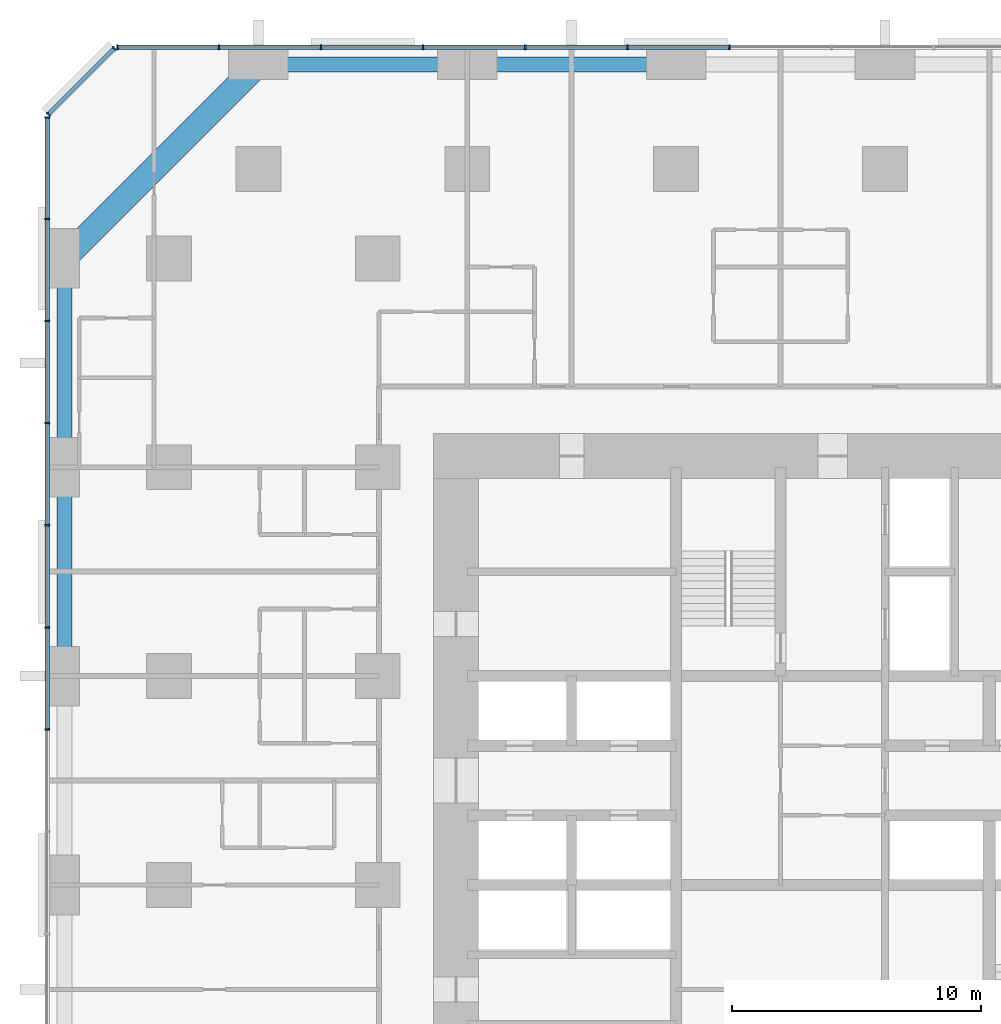
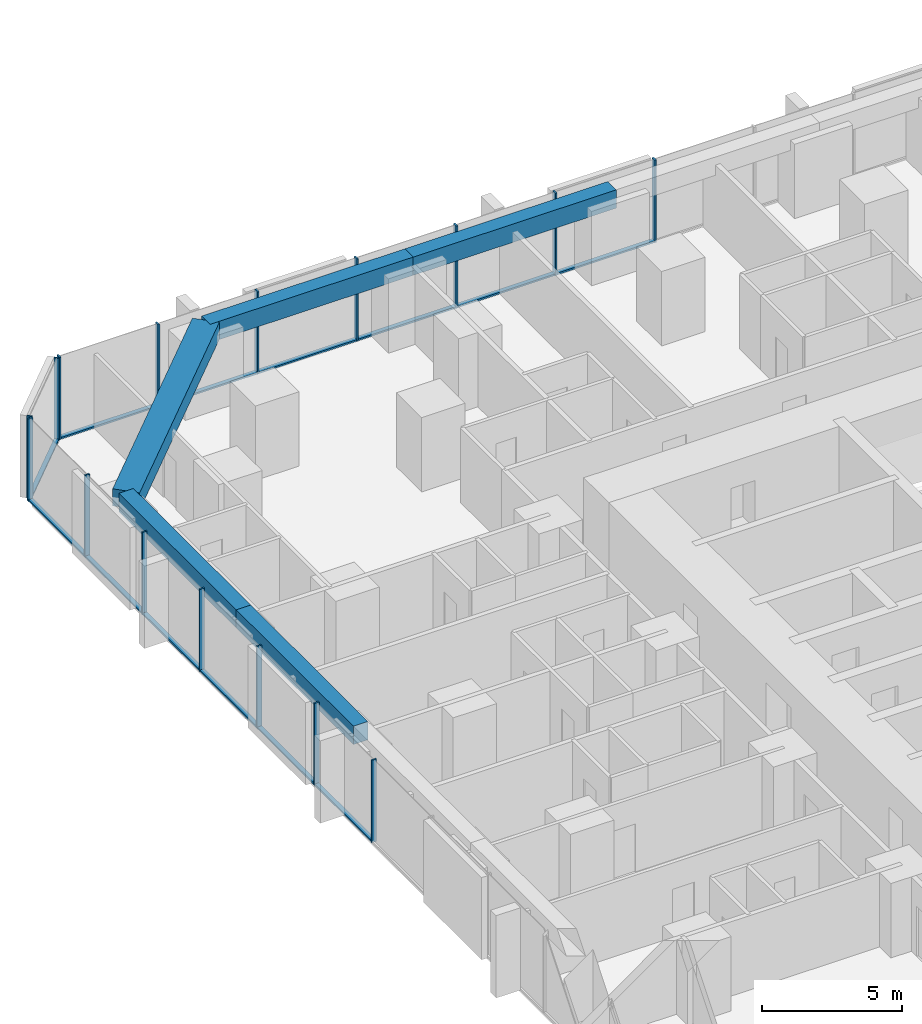
# One storey, part 6 of 17: 29 members, 5 beams, 3 elements without a shape of their own.
"""IFC4 building model written with IfcOpenShell, lengths in metres."""

from ifc_helpers import new_model, si_unit, direction, frame, origin, origin_2d, place, context, subcontext, project, spatial, rectangle, extrude, material, material_profile, profile_set, type_object, element, aggregate, save


model = new_model("IFC4")

# Units and contexts
model_context = context("Model", 3, precision=1e-05, world=origin(), true_north=direction((0.0, 1.0)))
body_context = subcontext(model_context, "Body", "Model", "MODEL_VIEW")
ifc_project = project(units=[si_unit("LENGTHUNIT", "METRE"), si_unit("AREAUNIT", "SQUARE_METRE"), si_unit("VOLUMEUNIT", "CUBIC_METRE"), si_unit("PLANEANGLEUNIT", "RADIAN"), si_unit("MASSUNIT", "GRAM", prefix="KILO")], contexts=[model_context])

# Site, building, storey
site_placement = place(None, origin())
site = spatial("IfcSite", under=ifc_project, at=site_placement, CompositionType="ELEMENT")
building_placement = place(site_placement, origin())
building = spatial("IfcBuilding", under=site, at=building_placement, Name="Dunama Terrace Hotel", CompositionType="ELEMENT")
storey_placement = place(building_placement, frame((0.0, 0.0, 37.800048828125)))
storey = spatial("IfcBuildingStorey", under=building, at=storey_placement, Name="L08", CompositionType="ELEMENT", Elevation=37.800048828125)

# Curtain wall, members
ifc_material_1 = material(Name="Aluminium curtain wall system", Category="aluminium")
curtain_wall_type = type_object("IfcCurtainWallType", Name="Unitised fritted glass wall CW-A", PredefinedType="NOTDEFINED", material=ifc_material_1)
curtain_wall_1_placement = place(storey_placement, origin())
curtain_wall_1 = element("IfcCurtainWall", 1, at=curtain_wall_1_placement, inside=storey, type_object=curtain_wall_type, Name="Unitised fritted glass wall CW-A L08", PredefinedType="NOTDEFINED")
ifc_material_2 = material(Name="Aluminium mullion", Category="aluminium")
ifc_material_profile_1 = material_profile(ifc_material_2, rectangle(XDim=0.06494140625, YDim=0.199951171875, at=origin_2d()), Name="CWA MULLION 65X200")
ifc_profile_set_1 = profile_set([ifc_material_profile_1], Name="Aluminium mullion")
member_type_1 = type_object("IfcMemberType", Name="CWA mullion 65x200", PredefinedType="MULLION", material=ifc_profile_set_1)
member_1_placement = place(storey_placement, frame((27.345947265625, 58.89990234375, 0.0), z_axis=(0.0, 0.0, 1.0), x_axis=(-1.0, 0.0, 0.0)))
member_1 = element("IfcMember", 2, at=member_1_placement, type_object=member_type_1, Name="CWA mullion", PredefinedType="MULLION", context=body_context, shape_type="SweptSolid", body=[
    extrude(rectangle(XDim=0.06494140625, YDim=0.199951171875, at=origin_2d()), origin(), (0.0, 0.0, 1.0), 3.599853515625),
])
member_2_placement = place(storey_placement, frame((23.238037109375, 58.89990234375, 0.0), z_axis=(0.0, 0.0, 1.0), x_axis=(-1.0, 0.0, 0.0)))
member_2 = element("IfcMember", 3, at=member_2_placement, type_object=member_type_1, Name="CWA mullion", PredefinedType="MULLION", context=body_context, shape_type="SweptSolid", body=[
    extrude(rectangle(XDim=0.06494140625, YDim=0.199951171875, at=origin_2d()), origin(), (0.0, 0.0, 1.0), 3.599853515625),
])
member_3_placement = place(storey_placement, frame((19.131103515625, 58.89990234375, 0.0), z_axis=(0.0, 0.0, 1.0), x_axis=(-1.0, 0.0, 0.0)))
member_3 = element("IfcMember", 4, at=member_3_placement, type_object=member_type_1, Name="CWA mullion", PredefinedType="MULLION", context=body_context, shape_type="SweptSolid", body=[
    extrude(rectangle(XDim=0.06494140625, YDim=0.199951171875, at=origin_2d()), origin(), (0.0, 0.0, 1.0), 3.599853515625),
])
member_4_placement = place(storey_placement, frame((15.02294921875, 58.89990234375, 0.0), z_axis=(0.0, 0.0, 1.0), x_axis=(-1.0, 0.0, 0.0)))
member_4 = element("IfcMember", 5, at=member_4_placement, type_object=member_type_1, Name="CWA mullion", PredefinedType="MULLION", context=body_context, shape_type="SweptSolid", body=[
    extrude(rectangle(XDim=0.06494140625, YDim=0.199951171875, at=origin_2d()), origin(), (0.0, 0.0, 1.0), 3.599853515625),
])
member_5_placement = place(storey_placement, frame((10.9150390625, 58.89990234375, 0.0), z_axis=(0.0, 0.0, 1.0), x_axis=(-1.0, 0.0, 0.0)))
member_5 = element("IfcMember", 6, at=member_5_placement, type_object=member_type_1, Name="CWA mullion", PredefinedType="MULLION", context=body_context, shape_type="SweptSolid", body=[
    extrude(rectangle(XDim=0.06494140625, YDim=0.199951171875, at=origin_2d()), origin(), (0.0, 0.0, 1.0), 3.599853515625),
])
member_6_placement = place(storey_placement, frame((6.80810546875, 58.89990234375, 0.0), z_axis=(0.0, 0.0, 1.0), x_axis=(-1.0, 0.0, 0.0)))
member_6 = element("IfcMember", 7, at=member_6_placement, type_object=member_type_1, Name="CWA mullion", PredefinedType="MULLION", context=body_context, shape_type="SweptSolid", body=[
    extrude(rectangle(XDim=0.06494140625, YDim=0.199951171875, at=origin_2d()), origin(), (0.0, 0.0, 1.0), 3.599853515625),
])
member_7_placement = place(storey_placement, frame((2.73291015625, 58.89990234375, 0.0), z_axis=(0.0, 0.0, 1.0), x_axis=(-1.0, 0.0, 0.0)))
member_7 = element("IfcMember", 8, at=member_7_placement, type_object=member_type_1, Name="CWA mullion", PredefinedType="MULLION", context=body_context, shape_type="SweptSolid", body=[
    extrude(rectangle(XDim=0.06494140625, YDim=0.199951171875, at=origin_2d()), origin(), (0.0, 0.0, 1.0), 3.599853515625),
])

curtain_wall_2_placement = place(storey_placement, origin())
curtain_wall_2 = element("IfcCurtainWall", 9, at=curtain_wall_2_placement, inside=storey, type_object=curtain_wall_type, Name="Unitised fritted glass wall CW-A L08", PredefinedType="NOTDEFINED")
member_8_placement = place(storey_placement, frame((2.60595703125, 58.847900390625, 0.0), z_axis=(0.0, 0.0, 1.0), x_axis=(-0.707106781187, -0.707106781187, 0.0)))
member_8 = element("IfcMember", 10, at=member_8_placement, type_object=member_type_1, Name="CWA mullion", PredefinedType="MULLION", context=body_context, shape_type="SweptSolid", body=[
    extrude(rectangle(XDim=0.06494140625, YDim=0.199951171875, at=origin_2d()), origin(), (0.0, 0.0, 1.0), 3.599853515625),
])
member_9_placement = place(storey_placement, frame((-0.048095703125, 56.194091796875, 0.0), z_axis=(0.0, 0.0, 1.0), x_axis=(-0.707106781187, -0.707106781187, 0.0)))
member_9 = element("IfcMember", 11, at=member_9_placement, type_object=member_type_1, Name="CWA mullion", PredefinedType="MULLION", context=body_context, shape_type="SweptSolid", body=[
    extrude(rectangle(XDim=0.06494140625, YDim=0.199951171875, at=origin_2d()), origin(), (0.0, 0.0, 1.0), 3.599853515625),
])

curtain_wall_3_placement = place(storey_placement, origin())
curtain_wall_3 = element("IfcCurtainWall", 12, at=curtain_wall_3_placement, inside=storey, type_object=curtain_wall_type, Name="Unitised fritted glass wall CW-A L08", PredefinedType="NOTDEFINED")
member_10_placement = place(storey_placement, frame((-0.10009765625, 56.06689453125, 0.0), z_axis=(0.0, 0.0, 1.0), x_axis=(0.0, -1.0, 0.0)))
member_10 = element("IfcMember", 13, at=member_10_placement, type_object=member_type_1, Name="CWA mullion", PredefinedType="MULLION", context=body_context, shape_type="SweptSolid", body=[
    extrude(rectangle(XDim=0.06494140625, YDim=0.199951171875, at=origin_2d()), origin(), (0.0, 0.0, 1.0), 3.599853515625),
])
member_11_placement = place(storey_placement, frame((-0.10009765625, 51.991943359375, 0.0), z_axis=(0.0, 0.0, 1.0), x_axis=(0.0, -1.0, 0.0)))
member_11 = element("IfcMember", 14, at=member_11_placement, type_object=member_type_1, Name="CWA mullion", PredefinedType="MULLION", context=body_context, shape_type="SweptSolid", body=[
    extrude(rectangle(XDim=0.06494140625, YDim=0.199951171875, at=origin_2d()), origin(), (0.0, 0.0, 1.0), 3.599853515625),
])
member_12_placement = place(storey_placement, frame((-0.10009765625, 47.885009765625, 0.0), z_axis=(0.0, 0.0, 1.0), x_axis=(0.0, -1.0, 0.0)))
member_12 = element("IfcMember", 15, at=member_12_placement, type_object=member_type_1, Name="CWA mullion", PredefinedType="MULLION", context=body_context, shape_type="SweptSolid", body=[
    extrude(rectangle(XDim=0.06494140625, YDim=0.199951171875, at=origin_2d()), origin(), (0.0, 0.0, 1.0), 3.599853515625),
])
member_13_placement = place(storey_placement, frame((-0.10009765625, 43.777099609375, 0.0), z_axis=(0.0, 0.0, 1.0), x_axis=(0.0, -1.0, 0.0)))
member_13 = element("IfcMember", 16, at=member_13_placement, type_object=member_type_1, Name="CWA mullion", PredefinedType="MULLION", context=body_context, shape_type="SweptSolid", body=[
    extrude(rectangle(XDim=0.06494140625, YDim=0.199951171875, at=origin_2d()), origin(), (0.0, 0.0, 1.0), 3.599853515625),
])
member_14_placement = place(storey_placement, frame((-0.10009765625, 39.6689453125, 0.0), z_axis=(0.0, 0.0, 1.0), x_axis=(0.0, -1.0, 0.0)))
member_14 = element("IfcMember", 17, at=member_14_placement, type_object=member_type_1, Name="CWA mullion", PredefinedType="MULLION", context=body_context, shape_type="SweptSolid", body=[
    extrude(rectangle(XDim=0.06494140625, YDim=0.199951171875, at=origin_2d()), origin(), (0.0, 0.0, 1.0), 3.599853515625),
])
member_15_placement = place(storey_placement, frame((-0.10009765625, 35.56201171875, 0.0), z_axis=(0.0, 0.0, 1.0), x_axis=(0.0, -1.0, 0.0)))
member_15 = element("IfcMember", 18, at=member_15_placement, type_object=member_type_1, Name="CWA mullion", PredefinedType="MULLION", context=body_context, shape_type="SweptSolid", body=[
    extrude(rectangle(XDim=0.06494140625, YDim=0.199951171875, at=origin_2d()), origin(), (0.0, 0.0, 1.0), 3.599853515625),
])
member_16_placement = place(storey_placement, frame((-0.10009765625, 31.4541015625, 0.0), z_axis=(0.0, 0.0, 1.0), x_axis=(0.0, -1.0, 0.0)))
member_16 = element("IfcMember", 19, at=member_16_placement, type_object=member_type_1, Name="CWA mullion", PredefinedType="MULLION", context=body_context, shape_type="SweptSolid", body=[
    extrude(rectangle(XDim=0.06494140625, YDim=0.199951171875, at=origin_2d()), origin(), (0.0, 0.0, 1.0), 3.599853515625),
])

# Member
ifc_material_3 = material(Name="Aluminium transom", Category="aluminium")
ifc_material_profile_2 = material_profile(ifc_material_3, rectangle(XDim=0.179931640625, YDim=0.074951171875, at=origin_2d()), Name="CWA TRANSOM 180X75")
ifc_profile_set_2 = profile_set([ifc_material_profile_2], Name="Aluminium transom")
member_type_2 = type_object("IfcMemberType", Name="CWA transom 180x75", PredefinedType="USERDEFINED", material=ifc_profile_set_2)
member_17_placement = place(storey_placement, frame((27.31396484375, 58.89990234375, 0.037353515625), z_axis=(-1.0, 0.0, 0.0), x_axis=(0.0, -1.0, 0.0)))
member_17 = element("IfcMember", 20, at=member_17_placement, type_object=member_type_2, Name="CWA transom", ObjectType="TRANSOM", PredefinedType="USERDEFINED", context=body_context, shape_type="SweptSolid", body=[
    extrude(rectangle(XDim=0.179931640625, YDim=0.074951171875, at=origin_2d()), origin(), (0.0, 0.0, 1.0), 4.04296875),
])

member_18_placement = place(storey_placement, frame((23.2060546875, 58.89990234375, 0.037353515625), z_axis=(-1.0, 0.0, 0.0), x_axis=(0.0, -1.0, 0.0)))
member_18 = element("IfcMember", 21, at=member_18_placement, type_object=member_type_2, Name="CWA transom", ObjectType="TRANSOM", PredefinedType="USERDEFINED", context=body_context, shape_type="SweptSolid", body=[
    extrude(rectangle(XDim=0.179931640625, YDim=0.074951171875, at=origin_2d()), origin(), (0.0, 0.0, 1.0), 4.04296875),
])

member_19_placement = place(storey_placement, frame((19.097900390625, 58.89990234375, 0.037353515625), z_axis=(-1.0, 0.0, 0.0), x_axis=(0.0, -1.0, 0.0)))
member_19 = element("IfcMember", 22, at=member_19_placement, type_object=member_type_2, Name="CWA transom", ObjectType="TRANSOM", PredefinedType="USERDEFINED", context=body_context, shape_type="SweptSolid", body=[
    extrude(rectangle(XDim=0.179931640625, YDim=0.074951171875, at=origin_2d()), origin(), (0.0, 0.0, 1.0), 4.0419921875),
])

member_20_placement = place(storey_placement, frame((14.990966796875, 58.89990234375, 0.037353515625), z_axis=(-1.0, 0.0, 0.0), x_axis=(0.0, -1.0, 0.0)))
member_20 = element("IfcMember", 23, at=member_20_placement, type_object=member_type_2, Name="CWA transom", ObjectType="TRANSOM", PredefinedType="USERDEFINED", context=body_context, shape_type="SweptSolid", body=[
    extrude(rectangle(XDim=0.179931640625, YDim=0.074951171875, at=origin_2d()), origin(), (0.0, 0.0, 1.0), 4.04296875),
])

member_21_placement = place(storey_placement, frame((10.883056640625, 58.89990234375, 0.037353515625), z_axis=(-1.0, 0.0, 0.0), x_axis=(0.0, -1.0, 0.0)))
member_21 = element("IfcMember", 24, at=member_21_placement, type_object=member_type_2, Name="CWA transom", ObjectType="TRANSOM", PredefinedType="USERDEFINED", context=body_context, shape_type="SweptSolid", body=[
    extrude(rectangle(XDim=0.179931640625, YDim=0.074951171875, at=origin_2d()), origin(), (0.0, 0.0, 1.0), 4.04296875),
])

member_22_placement = place(storey_placement, frame((6.77490234375, 58.89990234375, 0.037353515625), z_axis=(-1.0, 0.0, 0.0), x_axis=(0.0, -1.0, 0.0)))
member_22 = element("IfcMember", 25, at=member_22_placement, type_object=member_type_2, Name="CWA transom", ObjectType="TRANSOM", PredefinedType="USERDEFINED", context=body_context, shape_type="SweptSolid", body=[
    extrude(rectangle(XDim=0.179931640625, YDim=0.074951171875, at=origin_2d()), origin(), (0.0, 0.0, 1.0), 4.010009765625),
])

aggregate(curtain_wall_1, [member_1, member_2, member_3, member_4, member_5, member_6, member_7, member_17, member_18, member_19, member_20, member_21, member_22])

member_23_placement = place(storey_placement, frame((2.5830078125, 58.824951171875, 0.037353515625), z_axis=(-0.707106781187, -0.707106781187, 0.0), x_axis=(0.707106781187, -0.707106781187, 0.0)))
member_23 = element("IfcMember", 26, at=member_23_placement, type_object=member_type_2, Name="CWA transom", ObjectType="TRANSOM", PredefinedType="USERDEFINED", context=body_context, shape_type="SweptSolid", body=[
    extrude(rectangle(XDim=0.179931640625, YDim=0.074951171875, at=origin_2d()), origin(), (0.0, 0.0, 1.0), 3.688232421875),
])

aggregate(curtain_wall_2, [member_8, member_9, member_23])

member_24_placement = place(storey_placement, frame((-0.10009765625, 56.034912109375, 0.037353515625), z_axis=(0.0, -1.0, 0.0), x_axis=(1.0, 0.0, 0.0)))
member_24 = element("IfcMember", 27, at=member_24_placement, type_object=member_type_2, Name="CWA transom", ObjectType="TRANSOM", PredefinedType="USERDEFINED", context=body_context, shape_type="SweptSolid", body=[
    extrude(rectangle(XDim=0.179931640625, YDim=0.074951171875, at=origin_2d()), origin(), (0.0, 0.0, 1.0), 4.010009765625),
])

member_25_placement = place(storey_placement, frame((-0.10009765625, 51.9599609375, 0.037353515625), z_axis=(0.0, -1.0, 0.0), x_axis=(1.0, 0.0, 0.0)))
member_25 = element("IfcMember", 28, at=member_25_placement, type_object=member_type_2, Name="CWA transom", ObjectType="TRANSOM", PredefinedType="USERDEFINED", context=body_context, shape_type="SweptSolid", body=[
    extrude(rectangle(XDim=0.179931640625, YDim=0.074951171875, at=origin_2d()), origin(), (0.0, 0.0, 1.0), 4.04296875),
])

member_26_placement = place(storey_placement, frame((-0.10009765625, 47.85205078125, 0.037353515625), z_axis=(0.0, -1.0, 0.0), x_axis=(1.0, 0.0, 0.0)))
member_26 = element("IfcMember", 29, at=member_26_placement, type_object=member_type_2, Name="CWA transom", ObjectType="TRANSOM", PredefinedType="USERDEFINED", context=body_context, shape_type="SweptSolid", body=[
    extrude(rectangle(XDim=0.179931640625, YDim=0.074951171875, at=origin_2d()), origin(), (0.0, 0.0, 1.0), 4.04296875),
])

member_27_placement = place(storey_placement, frame((-0.10009765625, 43.743896484375, 0.037353515625), z_axis=(0.0, -1.0, 0.0), x_axis=(1.0, 0.0, 0.0)))
member_27 = element("IfcMember", 30, at=member_27_placement, type_object=member_type_2, Name="CWA transom", ObjectType="TRANSOM", PredefinedType="USERDEFINED", context=body_context, shape_type="SweptSolid", body=[
    extrude(rectangle(XDim=0.179931640625, YDim=0.074951171875, at=origin_2d()), origin(), (0.0, 0.0, 1.0), 4.0419921875),
])

member_28_placement = place(storey_placement, frame((-0.10009765625, 39.636962890625, 0.037353515625), z_axis=(0.0, -1.0, 0.0), x_axis=(1.0, 0.0, 0.0)))
member_28 = element("IfcMember", 31, at=member_28_placement, type_object=member_type_2, Name="CWA transom", ObjectType="TRANSOM", PredefinedType="USERDEFINED", context=body_context, shape_type="SweptSolid", body=[
    extrude(rectangle(XDim=0.179931640625, YDim=0.074951171875, at=origin_2d()), origin(), (0.0, 0.0, 1.0), 4.04296875),
])

member_29_placement = place(storey_placement, frame((-0.10009765625, 35.529052734375, 0.037353515625), z_axis=(0.0, -1.0, 0.0), x_axis=(1.0, 0.0, 0.0)))
member_29 = element("IfcMember", 32, at=member_29_placement, type_object=member_type_2, Name="CWA transom", ObjectType="TRANSOM", PredefinedType="USERDEFINED", context=body_context, shape_type="SweptSolid", body=[
    extrude(rectangle(XDim=0.179931640625, YDim=0.074951171875, at=origin_2d()), origin(), (0.0, 0.0, 1.0), 4.04296875),
])

aggregate(curtain_wall_3, [member_10, member_11, member_12, member_13, member_14, member_15, member_16, member_24, member_25, member_26, member_27, member_28, member_29])

# Beams
ifc_material_4 = material(Name="Concrete C50/60", Category="concrete")
ifc_material_profile_3 = material_profile(ifc_material_4, rectangle(XDim=1.0, YDim=0.75, at=origin_2d()), Name="RC 1000x750")
ifc_profile_set_3 = profile_set([ifc_material_profile_3], Name="Concrete C50/60")
beam_type_1 = type_object("IfcBeamType", Name="Edge beam RC 1000x750", PredefinedType="SPANDREL", material=ifc_profile_set_3)
beam_1_placement = place(storey_placement, frame((8.39990234375, 58.199951171875, 3.224853515625), z_axis=(-0.707095714747, -0.707117847453, 0.0), x_axis=(0.707117847453, -0.707095714747, 0.0)))
element("IfcBeam", 33, at=beam_1_placement, inside=storey, type_object=beam_type_1, Name="Corner edge beam under L09", PredefinedType="SPANDREL", context=body_context, shape_type="SweptSolid", body=[
    extrude(rectangle(XDim=1.0, YDim=0.75, at=origin_2d()), origin(), (0.0, 0.0, 1.0), 11.03076171875),
])
ifc_material_5 = material(Name="Concrete C40/50", Category="concrete")
ifc_material_profile_4 = material_profile(ifc_material_5, rectangle(XDim=0.60009765625, YDim=0.800048828125, at=origin_2d()), Name="RC 600x800")
ifc_profile_set_4 = profile_set([ifc_material_profile_4], Name="Concrete C40/50")
beam_type_2 = type_object("IfcBeamType", Name="Edge beam RC 600x800", PredefinedType="SPANDREL", material=ifc_profile_set_4)
for number, where, z_axis, x_axis, name in (
    (34, (0.60009765625, 33.60009765625, 3.199951171875), (0.0, 1.0, 0.0), (-1.0, 0.0, 0.0), "Edge beam under L09"),
    (35, (0.60009765625, 42.0, 3.199951171875), (0.0, 1.0, 0.0), (-1.0, 0.0, 0.0), "Edge beam under L09"),
):
    element("IfcBeam", number, at=place(storey_placement, frame(where, z_axis=z_axis, x_axis=x_axis)), inside=storey, type_object=beam_type_2, Name=name, PredefinedType="SPANDREL", context=body_context, shape_type="SweptSolid", body=[
        extrude(rectangle(XDim=0.60009765625, YDim=0.800048828125, at=origin_2d()), origin(), (0.0, 0.0, 1.0), 8.39990234375),
    ])
beam_2_placement = place(storey_placement, frame((8.39990234375, 58.199951171875, 3.199951171875), z_axis=(1.0, 0.0, 0.0), x_axis=(0.0, 1.0, 0.0)))
element("IfcBeam", 36, at=beam_2_placement, inside=storey, type_object=beam_type_2, Name="Edge beam under L09", PredefinedType="SPANDREL", context=body_context, shape_type="SweptSolid", body=[
    extrude(rectangle(XDim=0.60009765625, YDim=0.800048828125, at=origin_2d()), origin(), (0.0, 0.0, 1.0), 8.400146484375),
])
beam_3_placement = place(storey_placement, frame((16.800048828125, 58.199951171875, 3.199951171875), z_axis=(1.0, 0.0, 0.0), x_axis=(0.0, 1.0, 0.0)))
element("IfcBeam", 37, at=beam_3_placement, inside=storey, type_object=beam_type_2, Name="Edge beam under L09", PredefinedType="SPANDREL", context=body_context, shape_type="SweptSolid", body=[
    extrude(rectangle(XDim=0.60009765625, YDim=0.800048828125, at=origin_2d()), origin(), (0.0, 0.0, 1.0), 8.39990234375),
])

save(model, "model.ifc")
